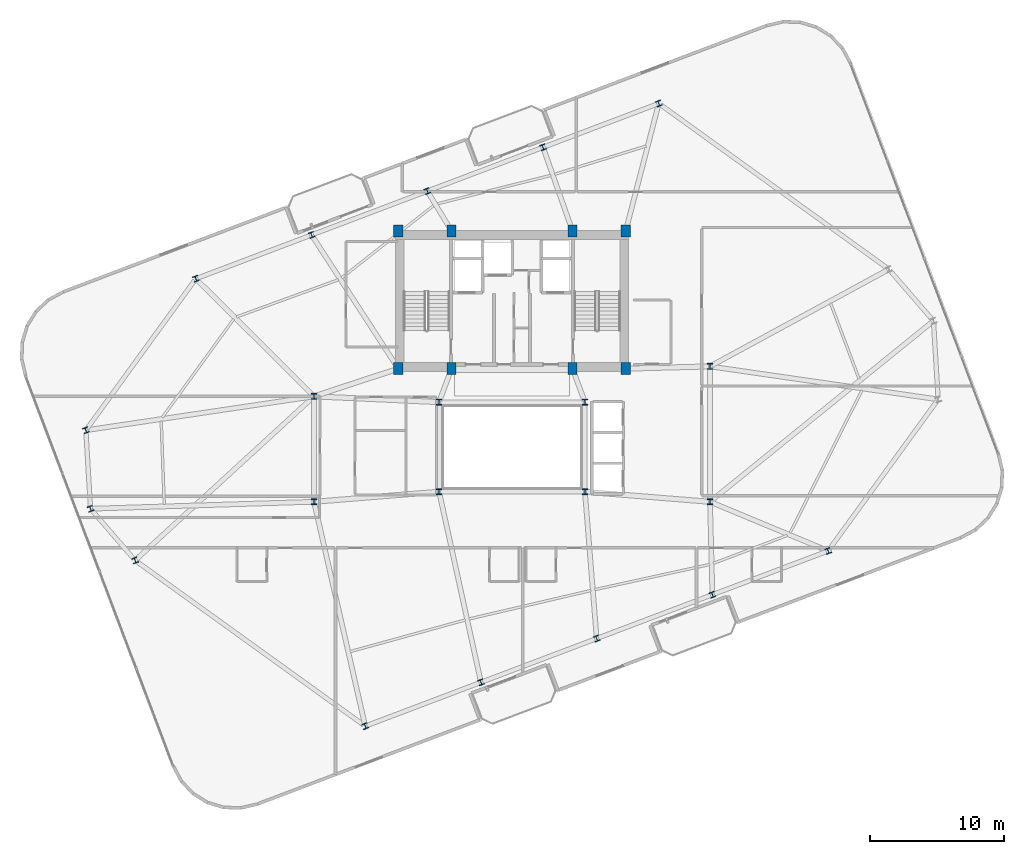
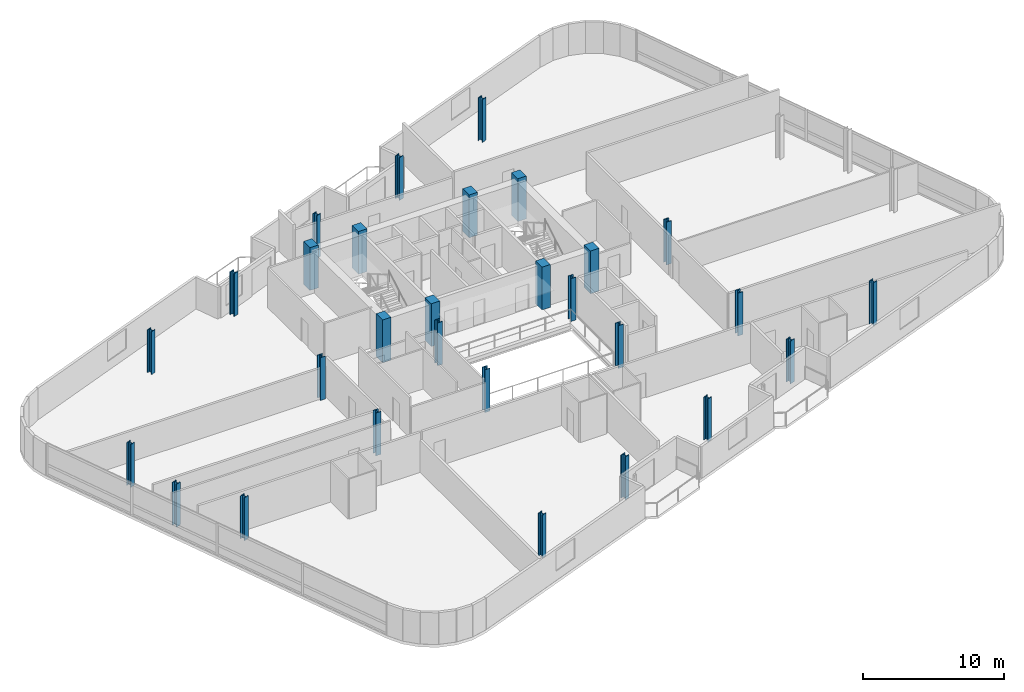
# One storey, part 1 of 19: 29 columns.
"""IFC4 building model written with IfcOpenShell, lengths in metres."""

from ifc_helpers import new_model, si_unit, direction, frame, origin, origin_2d, place, context, subcontext, project, spatial, rectangle, i_section, extrude, material, material_profile, profile_set, type_object, element, save


model = new_model("IFC4")

# Units and contexts
model_context = context("Model", 3, precision=1e-05, world=origin(), true_north=direction((0.0, 1.0)))
body_context = subcontext(model_context, "Body", "Model", "MODEL_VIEW")
ifc_project = project(units=[si_unit("LENGTHUNIT", "METRE"), si_unit("AREAUNIT", "SQUARE_METRE"), si_unit("VOLUMEUNIT", "CUBIC_METRE"), si_unit("PLANEANGLEUNIT", "RADIAN"), si_unit("MASSUNIT", "GRAM", prefix="KILO")], contexts=[model_context])

# Site, building, storey
site_placement = place(None, origin())
site = spatial("IfcSite", under=ifc_project, at=site_placement, CompositionType="ELEMENT")
building_placement = place(site_placement, origin())
building = spatial("IfcBuilding", under=site, at=building_placement, Name="Varnelok Gate Tower", CompositionType="ELEMENT")
storey_placement = place(building_placement, frame((0.0, 0.0, 246.0)))
storey = spatial("IfcBuildingStorey", under=building, at=storey_placement, Name="L63", CompositionType="ELEMENT", Elevation=246.0)

# Columns
ifc_material_1 = material(Name="Concrete C60/75", Category="concrete")
ifc_material_profile_1 = material_profile(ifc_material_1, rectangle(XDim=0.699951171875, YDim=0.89990234375, at=origin_2d()), Name="RC900X700")
ifc_profile_set_1 = profile_set([ifc_material_profile_1], Name="Concrete C60/75")
column_type_1 = type_object("IfcColumnType", Name="COL-RC900X700", PredefinedType="COLUMN", material=ifc_profile_set_1)
for number, where, z_axis, x_axis, name in (
    (1, (30.699951171875, 28.75, 0.0), (0.0, 0.0, 1.0), (1.0, 0.0, 0.0), "L63 Core Spine Column SC1"),
    (2, (34.679931640625, 28.75, 0.0), (0.0, 0.0, 1.0), (1.0, 0.0, 0.0), "L63 Core Spine Column SC2"),
    (3, (43.719970703125, 28.75, 0.0), (0.0, 0.0, 1.0), (1.0, 0.0, 0.0), "L63 Core Spine Column SC3"),
    (4, (47.699951171875, 28.75, 0.0), (0.0, 0.0, 1.0), (1.0, 0.0, 0.0), "L63 Core Spine Column SC4"),
    (5, (30.699951171875, 39.050048828125, 0.0), (0.0, 0.0, 1.0), (1.0, 0.0, 0.0), "L63 Core Spine Column SC5"),
    (6, (34.679931640625, 39.050048828125, 0.0), (0.0, 0.0, 1.0), (1.0, 0.0, 0.0), "L63 Core Spine Column SC6"),
    (7, (43.719970703125, 39.050048828125, 0.0), (0.0, 0.0, 1.0), (1.0, 0.0, 0.0), "L63 Core Spine Column SC7"),
    (8, (47.699951171875, 39.050048828125, 0.0), (0.0, 0.0, 1.0), (1.0, 0.0, 0.0), "L63 Core Spine Column SC8"),
):
    element("IfcColumn", number, at=place(storey_placement, frame(where, z_axis=z_axis, x_axis=x_axis)), inside=storey, type_object=column_type_1, Name=name, PredefinedType="COLUMN", context=body_context, shape_type="SweptSolid", body=[
        extrude(rectangle(XDim=0.699951171875, YDim=0.89990234375, at=origin_2d()), origin(), (0.0, 0.0, 1.0), 3.699951171875),
    ])
ifc_material_2 = material(Name="Structural Steel ASTM A992 Grade 50", Category="steel")
ifc_material_profile_2 = material_profile(ifc_material_2, i_section(OverallWidth=0.406005859375, OverallDepth=0.416015625, WebThickness=0.02978515625, FlangeThickness=0.048095703125, FilletRadius=0.02490234375, at=origin_2d()), Name="W14X257")
ifc_profile_set_2 = profile_set([ifc_material_profile_2], Name="Structural Steel ASTM A992 Grade 50")
column_type_2 = type_object("IfcColumnType", Name="COL-W14X257", PredefinedType="COLUMN", material=ifc_profile_set_2)
for number, where, z_axis, x_axis, name in (
    (9, (28.22900390625, 2.028076171875, 0.0), (0.0, 0.0, 1.0), (0.935221751401, 0.354062530786, 0.0), "L63 B5 Perimeter Column PC01"),
    (10, (36.8798828125, 5.30322265625, 0.0), (0.0, 0.0, 1.0), (0.935221751401, 0.354062530786, 0.0), "L63 B5 Perimeter Column PC02"),
    (11, (45.530517578125, 8.578125, 0.0), (0.0, 0.0, 1.0), (0.935221751401, 0.354062530786, 0.0), "L63 B5 Perimeter Column PC03"),
    (12, (54.181396484375, 11.853271484375, 0.0), (0.0, 0.0, 1.0), (0.935221751401, 0.354062530786, 0.0), "L63 B5 Perimeter Column PC04"),
    (13, (62.832275390625, 15.12841796875, 0.0), (0.0, 0.0, 1.0), (0.935221751401, 0.354062530786, 0.0), "L63 B5 Perimeter Column PC05"),
    (14, (50.1708984375, 48.572021484375, 0.0), (0.0, 0.0, 1.0), (0.935221751401, 0.354062530786, 0.0), "L63 B5 Perimeter Column PC09"),
    (15, (41.520263671875, 45.296875, 0.0), (0.0, 0.0, 1.0), (0.935221751401, 0.354062530786, 0.0), "L63 B5 Perimeter Column PC10"),
    (16, (32.869384765625, 42.021728515625, 0.0), (0.0, 0.0, 1.0), (0.935221751401, 0.354062530786, 0.0), "L63 B5 Perimeter Column PC11"),
    (17, (24.218505859375, 38.74658203125, 0.0), (0.0, 0.0, 1.0), (0.935221751401, 0.354062530786, 0.0), "L63 B5 Perimeter Column PC12"),
    (18, (15.56787109375, 35.4716796875, 0.0), (0.0, 0.0, 1.0), (0.935221751401, 0.354062530786, 0.0), "L63 B5 Perimeter Column PC13"),
    (19, (7.344970703125, 24.146484375, 0.0), (0.0, 0.0, 1.0), (0.935221751401, 0.354062530786, 0.0), "L63 B5 Perimeter Column PC14"),
    (20, (7.694580078125, 18.280517578125, 0.0), (0.0, 0.0, 1.0), (0.935221751401, 0.354062530786, 0.0), "L63 B5 Perimeter Column PC15"),
    (21, (11.027099609375, 14.42041015625, 0.0), (0.0, 0.0, 1.0), (0.935221751401, 0.354062530786, 0.0), "L63 B5 Perimeter Column PC16"),
):
    element("IfcColumn", number, at=place(storey_placement, frame(where, z_axis=z_axis, x_axis=x_axis)), inside=storey, type_object=column_type_2, Name=name, PredefinedType="COLUMN", context=body_context, shape_type="SweptSolid", body=[
        extrude(i_section(OverallWidth=0.406005859375, OverallDepth=0.416015625, WebThickness=0.02978515625, FlangeThickness=0.048095703125, FilletRadius=0.02490234375, at=origin_2d()), origin(), (0.0, 0.0, 1.0), 3.699951171875),
    ])
ifc_material_profile_3 = material_profile(ifc_material_2, i_section(OverallWidth=0.412109375, OverallDepth=0.43505859375, WebThickness=0.035888671875, FlangeThickness=0.057373046875, FilletRadius=0.02490234375, at=origin_2d()), Name="W14X311")
ifc_profile_set_3 = profile_set([ifc_material_profile_3], Name="Structural Steel ASTM A992 Grade 50")
column_type_3 = type_object("IfcColumnType", Name="COL-W14X311", PredefinedType="COLUMN", material=ifc_profile_set_3)
for number, where, z_axis, x_axis, name in (
    (22, (33.75, 19.550048828125, 0.0), (0.0, 0.0, 1.0), (1.0, 0.0, 0.0), "L63 Atrium Spine Column AC1"),
    (23, (44.64990234375, 19.550048828125, 0.0), (0.0, 0.0, 1.0), (1.0, 0.0, 0.0), "L63 Atrium Spine Column AC2"),
    (24, (33.75, 26.25, 0.0), (0.0, 0.0, 1.0), (1.0, 0.0, 0.0), "L63 Atrium Spine Column AC3"),
    (25, (44.64990234375, 26.25, 0.0), (0.0, 0.0, 1.0), (1.0, 0.0, 0.0), "L63 Atrium Spine Column AC4"),
    (26, (24.39990234375, 18.800048828125, 0.0), (0.0, 0.0, 1.0), (1.0, 0.0, 0.0), "L63 Wing Spine Column WS1"),
    (27, (24.39990234375, 26.679931640625, 0.0), (0.0, 0.0, 1.0), (1.0, 0.0, 0.0), "L63 Wing Spine Column WS2"),
    (28, (54.0, 18.800048828125, 0.0), (0.0, 0.0, 1.0), (1.0, 0.0, 0.0), "L63 Wing Spine Column ES1"),
    (29, (54.0, 28.919921875, 0.0), (0.0, 0.0, 1.0), (1.0, 0.0, 0.0), "L63 Wing Spine Column ES2"),
):
    element("IfcColumn", number, at=place(storey_placement, frame(where, z_axis=z_axis, x_axis=x_axis)), inside=storey, type_object=column_type_3, Name=name, PredefinedType="COLUMN", context=body_context, shape_type="SweptSolid", body=[
        extrude(i_section(OverallWidth=0.412109375, OverallDepth=0.43505859375, WebThickness=0.035888671875, FlangeThickness=0.057373046875, FilletRadius=0.02490234375, at=origin_2d()), origin(), (0.0, 0.0, 1.0), 3.699951171875),
    ])

save(model, "model.ifc")
